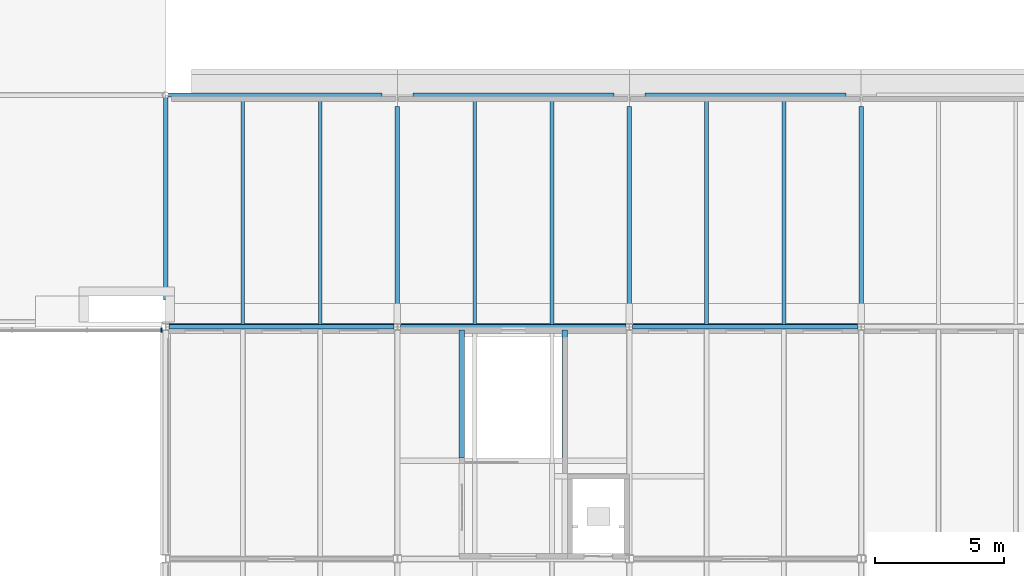
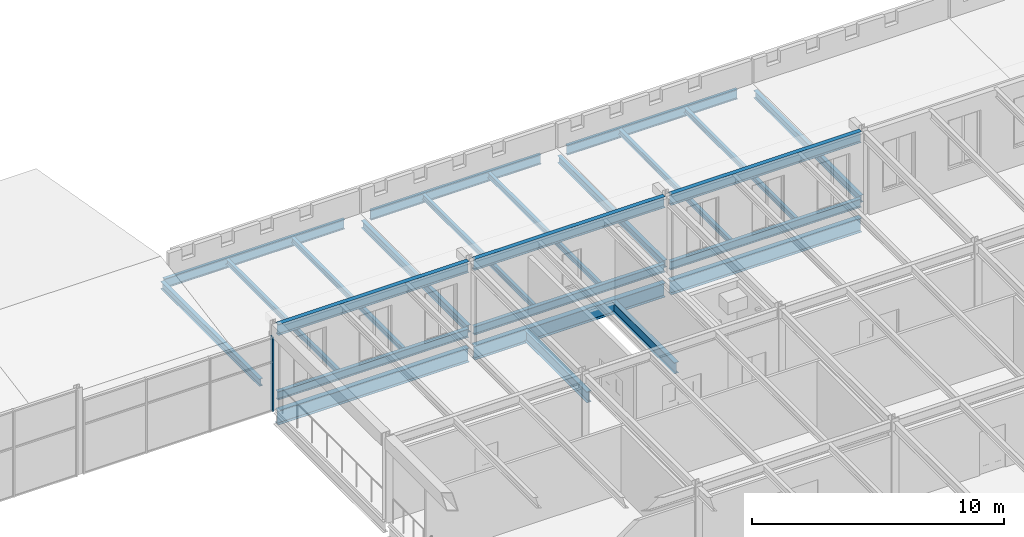
# One storey, part 46 of 123: 24 beams, 1 member, 1 element without a shape of its own.
"""IFC4 building model written with IfcOpenShell, lengths in metres."""

from ifc_helpers import new_model, si_unit, direction, frame, origin, origin_2d, place, context, subcontext, project, spatial, rectangle, i_section, extrude, material, material_profile, profile_set, type_object, element, aggregate, save


model = new_model("IFC4")

# Units and contexts
model_context = context("Model", 3, precision=1e-05, world=origin(), true_north=direction((0.0, 1.0)))
body_context = subcontext(model_context, "Body", "Model", "MODEL_VIEW")
ifc_project = project(units=[si_unit("LENGTHUNIT", "METRE"), si_unit("AREAUNIT", "SQUARE_METRE"), si_unit("VOLUMEUNIT", "CUBIC_METRE"), si_unit("PLANEANGLEUNIT", "RADIAN"), si_unit("MASSUNIT", "GRAM", prefix="KILO")], contexts=[model_context])

# Site, building, storey
site_placement = place(None, origin())
site = spatial("IfcSite", under=ifc_project, at=site_placement, CompositionType="ELEMENT")
building_placement = place(site_placement, origin())
building = spatial("IfcBuilding", under=site, at=building_placement, Name="Baradari Gate Terminus", CompositionType="ELEMENT")
storey_placement = place(building_placement, frame((0.0, 0.0, 7.5)))
storey = spatial("IfcBuildingStorey", under=building, at=storey_placement, Name="L01", CompositionType="ELEMENT", Elevation=7.5)

# Beams
ifc_material_1 = material(Name="Steel S355", Category="steel")
ifc_material_profile_1 = material_profile(ifc_material_1, i_section(OverallWidth=0.17138671875, OverallDepth=0.35498046875, WebThickness=0.00732421875, FlangeThickness=0.011474609375, FilletRadius=0.01025390625, at=origin_2d()), Name="UB 356x171x51")
ifc_profile_set_1 = profile_set([ifc_material_profile_1], Name="Steel S355")
beam_type_1 = type_object("IfcBeamType", Name="Canopy cross beam B61 UB 356x171x51", PredefinedType="BEAM", material=ifc_profile_set_1)
beam_1_placement = place(storey_placement, frame((171.0, 109.050048828125, 0.6025390625), z_axis=(0.0, 1.0, 0.0), x_axis=(-1.0, 0.0, 0.0)))
element("IfcBeam", 1, at=beam_1_placement, inside=storey, type_object=beam_type_1, Name="Canopy cross beam B61 20:109.05-116.878 L01", PredefinedType="BEAM", context=body_context, shape_type="SweptSolid", body=[
    extrude(i_section(OverallWidth=0.17138671875, OverallDepth=0.35498046875, WebThickness=0.00732421875, FlangeThickness=0.011474609375, FilletRadius=0.01025390625, at=origin_2d()), origin(), (0.0, 0.0, 1.0), 7.82763671875),
])
for number, where, z_axis, x_axis, name in (
    (2, (180.0, 108.130126953125, 0.6025390625), (0.0, 1.0, 0.0), (-1.0, 0.0, 0.0), "Canopy cross beam B61 21:108.13-116.55 L01"),
    (3, (189.0, 108.130126953125, 0.6025390625), (0.0, 1.0, 0.0), (-1.0, 0.0, 0.0), "Canopy cross beam B61 22:108.13-116.55 L01"),
    (4, (198.0, 108.130126953125, 0.6025390625), (0.0, 1.0, 0.0), (-1.0, 0.0, 0.0), "Canopy cross beam B61 23:108.13-116.55 L01"),
):
    element("IfcBeam", number, at=place(storey_placement, frame(where, z_axis=z_axis, x_axis=x_axis)), inside=storey, type_object=beam_type_1, Name=name, PredefinedType="BEAM", context=body_context, shape_type="SweptSolid", body=[
        extrude(i_section(OverallWidth=0.17138671875, OverallDepth=0.35498046875, WebThickness=0.00732421875, FlangeThickness=0.011474609375, FilletRadius=0.01025390625, at=origin_2d()), origin(), (0.0, 0.0, 1.0), 8.419921875),
    ])
ifc_material_2 = material(Name="Steel S355", Category="steel")
ifc_material_profile_2 = material_profile(ifc_material_2, i_section(OverallWidth=0.1552734375, OverallDepth=0.4658203125, WebThickness=0.010498046875, FlangeThickness=0.018798828125, FilletRadius=0.01025390625, at=origin_2d()), Name="UB 457x152x82")
ifc_profile_set_2 = profile_set([ifc_material_profile_2], Name="Steel S355")
beam_type_2 = type_object("IfcBeamType", Name="Canopy edge beam B59 UB 457x152x82", PredefinedType="BEAM", material=ifc_profile_set_2)
beam_2_placement = place(storey_placement, frame((171.122314453125, 117.0, 0.547119140625), z_axis=(1.0, 0.0, 0.0), x_axis=(0.0, 1.0, 0.0)))
element("IfcBeam", 5, at=beam_2_placement, inside=storey, type_object=beam_type_2, Name="Canopy edge beam B59 P:171.122-179.4 L01", PredefinedType="BEAM", context=body_context, shape_type="SweptSolid", body=[
    extrude(i_section(OverallWidth=0.1552734375, OverallDepth=0.4658203125, WebThickness=0.010498046875, FlangeThickness=0.018798828125, FilletRadius=0.01025390625, at=origin_2d()), origin(), (0.0, 0.0, 1.0), 8.277587890625),
])
for number, where, z_axis, x_axis, name in (
    (6, (180.60009765625, 117.0, 0.547119140625), (1.0, 0.0, 0.0), (0.0, 1.0, 0.0), "Canopy edge beam B59 P:180.6-188.4 L01"),
    (7, (189.60009765625, 117.0, 0.547119140625), (1.0, 0.0, 0.0), (0.0, 1.0, 0.0), "Canopy edge beam B59 P:189.6-197.4 L01"),
):
    element("IfcBeam", number, at=place(storey_placement, frame(where, z_axis=z_axis, x_axis=x_axis)), inside=storey, type_object=beam_type_2, Name=name, PredefinedType="BEAM", context=body_context, shape_type="SweptSolid", body=[
        extrude(i_section(OverallWidth=0.1552734375, OverallDepth=0.4658203125, WebThickness=0.010498046875, FlangeThickness=0.018798828125, FilletRadius=0.01025390625, at=origin_2d()), origin(), (0.0, 0.0, 1.0), 7.7998046875),
    ])
ifc_material_3 = material(Name="Steel S355", Category="steel")
ifc_material_profile_3 = material_profile(ifc_material_3, i_section(OverallWidth=0.177978515625, OverallDepth=0.406494140625, WebThickness=0.0078125, FlangeThickness=0.0126953125, FilletRadius=0.01025390625, at=origin_2d()), Name="UB 406x178x60")
ifc_profile_set_3 = profile_set([ifc_material_profile_3], Name="Steel S355")
beam_type_3 = type_object("IfcBeamType", Name="Canopy girder B58 UB 406x178x60", PredefinedType="BEAM", material=ifc_profile_set_3)
for number, where, z_axis, x_axis, name in (
    (8, (171.128173828125, 108.0, 0.576904296875), (1.0, 0.0, 0.0), (0.0, 1.0, 0.0), "Canopy girder B58 N:171.128-179.872 L01"),
    (9, (180.128173828125, 108.0, 0.576904296875), (1.0, 0.0, 0.0), (0.0, 1.0, 0.0), "Canopy girder B58 N:180.128-188.872 L01"),
    (10, (189.128173828125, 108.0, 0.576904296875), (1.0, 0.0, 0.0), (0.0, 1.0, 0.0), "Canopy girder B58 N:189.128-197.872 L01"),
):
    element("IfcBeam", number, at=place(storey_placement, frame(where, z_axis=z_axis, x_axis=x_axis)), inside=storey, type_object=beam_type_3, Name=name, PredefinedType="BEAM", context=body_context, shape_type="SweptSolid", body=[
        extrude(i_section(OverallWidth=0.177978515625, OverallDepth=0.406494140625, WebThickness=0.0078125, FlangeThickness=0.0126953125, FilletRadius=0.01025390625, at=origin_2d()), origin(), (0.0, 0.0, 1.0), 8.74365234375),
    ])
ifc_material_4 = material(Name="Steel S355", Category="steel")
ifc_material_profile_4 = material_profile(ifc_material_4, i_section(OverallWidth=0.14599609375, OverallDepth=0.25146484375, WebThickness=0.006103515625, FlangeThickness=0.008544921875, FilletRadius=0.007568359375, at=origin_2d()), Name="UB 254x146x31")
ifc_profile_set_4 = profile_set([ifc_material_profile_4], Name="Steel S355")
beam_type_4 = type_object("IfcBeamType", Name="Canopy secondary beam B60 UB 254x146x31", PredefinedType="BEAM", material=ifc_profile_set_4)
for number, where, z_axis, x_axis, name in (
    (11, (174.0, 108.0888671875, 0.654296875), (0.0, 1.0, 0.0), (-1.0, 0.0, 0.0), "Canopy secondary beam B60 174:108.089-116.922 L01"),
    (12, (177.0, 108.0888671875, 0.654296875), (0.0, 1.0, 0.0), (-1.0, 0.0, 0.0), "Canopy secondary beam B60 177:108.089-116.922 L01"),
    (13, (183.0, 108.0888671875, 0.654296875), (0.0, 1.0, 0.0), (-1.0, 0.0, 0.0), "Canopy secondary beam B60 183:108.089-116.922 L01"),
    (14, (186.0, 108.0888671875, 0.654296875), (0.0, 1.0, 0.0), (-1.0, 0.0, 0.0), "Canopy secondary beam B60 186:108.089-116.922 L01"),
    (15, (192.0, 108.0888671875, 0.654296875), (0.0, 1.0, 0.0), (-1.0, 0.0, 0.0), "Canopy secondary beam B60 192:108.089-116.922 L01"),
    (16, (195.0, 108.0888671875, 0.654296875), (0.0, 1.0, 0.0), (-1.0, 0.0, 0.0), "Canopy secondary beam B60 195:108.089-116.922 L01"),
):
    element("IfcBeam", number, at=place(storey_placement, frame(where, z_axis=z_axis, x_axis=x_axis)), inside=storey, type_object=beam_type_4, Name=name, PredefinedType="BEAM", context=body_context, shape_type="SweptSolid", body=[
        extrude(i_section(OverallWidth=0.14599609375, OverallDepth=0.25146484375, WebThickness=0.006103515625, FlangeThickness=0.008544921875, FilletRadius=0.007568359375, at=origin_2d()), origin(), (0.0, 0.0, 1.0), 8.83349609375),
    ])

# Curtain wall, member
ifc_material_5 = material(Name="Aluminium 6063-T6", Category="aluminium")
curtain_wall_type = type_object("IfcCurtainWallType", Name="Curtain wall CW-4 ticket hall clerestory", PredefinedType="NOTDEFINED", material=ifc_material_5)
curtain_wall_placement = place(storey_placement, origin())
curtain_wall = element("IfcCurtainWall", 17, at=curtain_wall_placement, inside=storey, type_object=curtain_wall_type, Name="Glazed curtain wall CW-4 HN bay 19 L01", PredefinedType="NOTDEFINED")
ifc_material_6 = material(Name="Aluminium 6063-T6", Category="aluminium")
ifc_material_profile_5 = material_profile(ifc_material_6, rectangle(XDim=0.175048828125, YDim=0.06494140625, at=origin_2d()), Name="CM-4 65X175")
ifc_profile_set_5 = profile_set([ifc_material_profile_5], Name="Aluminium 6063-T6")
member_type = type_object("IfcMemberType", Name="Curtain wall mullion CM-4 65x175", PredefinedType="MULLION", material=ifc_profile_set_5)
member_placement = place(storey_placement, frame((170.83935546875, 107.87841796875, 0.0), z_axis=(0.0, 0.0, 1.0), x_axis=(0.0, 1.0, 0.0)))
member = element("IfcMember", 18, at=member_placement, type_object=member_type, Name="CW-4 mullion 4", PredefinedType="MULLION", context=body_context, shape_type="SweptSolid", body=[
    extrude(rectangle(XDim=0.175048828125, YDim=0.06494140625, at=origin_2d()), origin(), (0.0, 0.0, 1.0), 3.60009765625),
])
aggregate(curtain_wall, [member])

# Beams
ifc_material_7 = material(Name="Steel S355", Category="steel")
ifc_material_profile_6 = material_profile(ifc_material_7, i_section(OverallWidth=0.2529296875, OverallDepth=0.677978515625, WebThickness=0.01171875, FlangeThickness=0.01611328125, FilletRadius=0.01513671875, at=origin_2d()), Name="UB 686x254x125")
ifc_profile_set_6 = profile_set([ifc_material_profile_6], Name="Steel S355")
beam_type_5 = type_object("IfcBeamType", Name="Head-house edge girder B07 UB 686x254x125", PredefinedType="BEAM", material=ifc_profile_set_6)
for number, where, z_axis, x_axis, name in (
    (19, (171.128173828125, 108.0, -0.468994140625), (1.0, 0.0, 0.0), (0.0, 1.0, 0.0), "Head-house edge girder B07 N:171.128-179.872 L01"),
    (20, (180.128173828125, 108.0, -0.468994140625), (1.0, 0.0, 0.0), (0.0, 1.0, 0.0), "Head-house edge girder B07 N:180.128-188.872 L01"),
    (21, (189.128173828125, 108.0, -0.468994140625), (1.0, 0.0, 0.0), (0.0, 1.0, 0.0), "Head-house edge girder B07 N:189.128-197.872 L01"),
):
    element("IfcBeam", number, at=place(storey_placement, frame(where, z_axis=z_axis, x_axis=x_axis)), inside=storey, type_object=beam_type_5, Name=name, PredefinedType="BEAM", context=body_context, shape_type="SweptSolid", body=[
        extrude(i_section(OverallWidth=0.2529296875, OverallDepth=0.677978515625, WebThickness=0.01171875, FlangeThickness=0.01611328125, FilletRadius=0.01513671875, at=origin_2d()), origin(), (0.0, 0.0, 1.0), 8.74365234375),
    ])
ifc_material_8 = material(Name="Steel S355", Category="steel")
ifc_material_profile_7 = material_profile(ifc_material_8, i_section(OverallWidth=0.209228515625, OverallDepth=0.533203125, WebThickness=0.010009765625, FlangeThickness=0.015625, FilletRadius=0.0126953125, at=origin_2d()), Name="UB 533x210x92")
ifc_profile_set_7 = profile_set([ifc_material_profile_7], Name="Steel S355")
beam_type_6 = type_object("IfcBeamType", Name="Head-house roof edge girder B48 UB 533x210x92", PredefinedType="BEAM", material=ifc_profile_set_7)
for number, where, z_axis, x_axis, name in (
    (22, (171.128173828125, 108.0, 3.783447265625), (1.0, 0.0, 0.0), (0.0, 1.0, 0.0), "Head-house roof edge girder B48 N:171.128-179.872 L01"),
    (23, (180.128173828125, 108.0, 3.783447265625), (1.0, 0.0, 0.0), (0.0, 1.0, 0.0), "Head-house roof edge girder B48 N:180.128-188.872 L01"),
    (24, (189.128173828125, 108.0, 3.783447265625), (1.0, 0.0, 0.0), (0.0, 1.0, 0.0), "Head-house roof edge girder B48 N:189.128-197.872 L01"),
):
    element("IfcBeam", number, at=place(storey_placement, frame(where, z_axis=z_axis, x_axis=x_axis)), inside=storey, type_object=beam_type_6, Name=name, PredefinedType="BEAM", context=body_context, shape_type="SweptSolid", body=[
        extrude(i_section(OverallWidth=0.209228515625, OverallDepth=0.533203125, WebThickness=0.010009765625, FlangeThickness=0.015625, FilletRadius=0.0126953125, at=origin_2d()), origin(), (0.0, 0.0, 1.0), 8.74365234375),
    ])
ifc_material_9 = material(Name="Steel S355", Category="steel")
ifc_material_profile_8 = material_profile(ifc_material_9, i_section(OverallWidth=0.209228515625, OverallDepth=0.533203125, WebThickness=0.010009765625, FlangeThickness=0.015625, FilletRadius=0.0126953125, at=origin_2d()), Name="UB 533x210x92")
ifc_profile_set_8 = profile_set([ifc_material_profile_8], Name="Steel S355")
beam_type_7 = type_object("IfcBeamType", Name="Head-house trimmer beam B08 UB 533x210x92", PredefinedType="BEAM", material=ifc_profile_set_8)
for number, where, z_axis, x_axis, name in (
    (25, (182.4951171875, 102.90478515625, -0.396484375), (0.0, 1.0, 0.0), (-1.0, 0.0, 0.0), "Head-house trimmer beam B08 182.495:102.905-107.874 L01"),
    (26, (186.5, 102.90478515625, -0.396484375), (0.0, 1.0, 0.0), (-1.0, 0.0, 0.0), "Head-house trimmer beam B08 186.5:102.905-107.874 L01"),
):
    element("IfcBeam", number, at=place(storey_placement, frame(where, z_axis=z_axis, x_axis=x_axis)), inside=storey, type_object=beam_type_7, Name=name, PredefinedType="BEAM", context=body_context, shape_type="SweptSolid", body=[
        extrude(i_section(OverallWidth=0.209228515625, OverallDepth=0.533203125, WebThickness=0.010009765625, FlangeThickness=0.015625, FilletRadius=0.0126953125, at=origin_2d()), origin(), (0.0, 0.0, 1.0), 4.96875),
    ])

save(model, "model.ifc")
